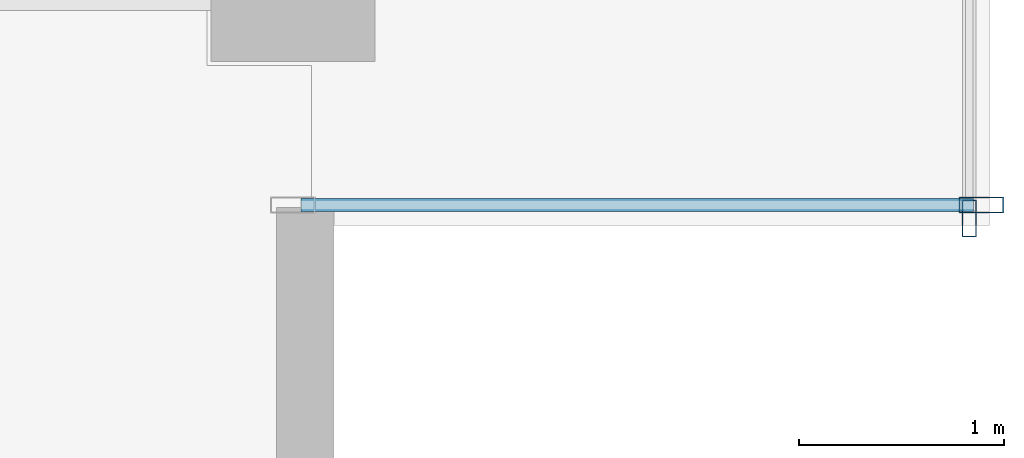
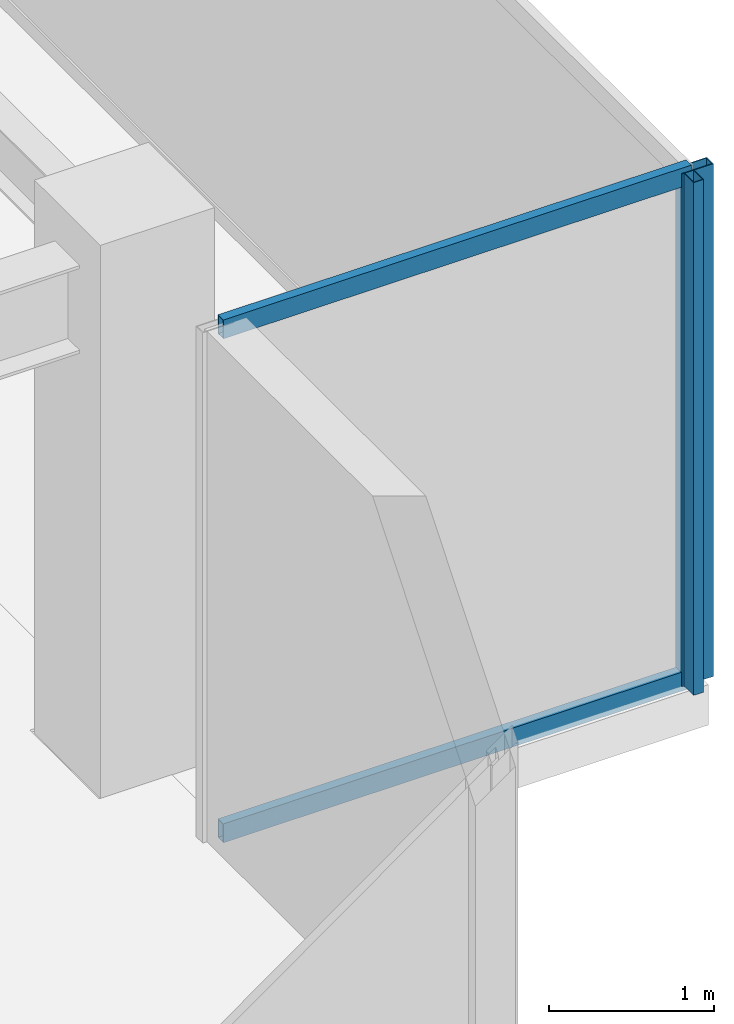
# One storey, part 22 of 36: 4 members, 2 elements without a shape of their own.
"""IFC4 building model written with IfcOpenShell, lengths in metres."""

from ifc_helpers import new_model, si_unit, direction, frame, origin, origin_2d, place, context, subcontext, project, spatial, hollow_rectangle, extrude, source, transform, mapped, material, layer, layer_set, material_profile, profile_set, type_object, type_shapes, element, aggregate, save


model = new_model("IFC4")

# Units and contexts
model_context = context("Model", 3, precision=1e-05, world=origin(), true_north=direction((0.0, 1.0)))
body_context = subcontext(model_context, "Body", "Model", "MODEL_VIEW")
ifc_project = project(units=[si_unit("LENGTHUNIT", "METRE"), si_unit("AREAUNIT", "SQUARE_METRE"), si_unit("VOLUMEUNIT", "CUBIC_METRE"), si_unit("PLANEANGLEUNIT", "RADIAN"), si_unit("MASSUNIT", "GRAM", prefix="KILO")], contexts=[model_context])

# Site, building, storey
site_placement = place(None, origin())
site = spatial("IfcSite", under=ifc_project, at=site_placement, CompositionType="ELEMENT")
building_placement = place(site_placement, origin())
building = spatial("IfcBuilding", under=site, at=building_placement, Name="Haelvirn Gate Laboratories", CompositionType="ELEMENT")
storey_placement = place(building_placement, frame((0.0, 0.0, 254.699951171875)))
storey = spatial("IfcBuildingStorey", under=building, at=storey_placement, Name="L61", CompositionType="ELEMENT", Elevation=254.699951171875)

# Curtain wall, members
ifc_material_1 = material(Name="Anodised bronze unitised aluminium & triple low-E glass", Category="aluminium")
ifc_layer_1 = layer(ifc_material_1, 0.181884765625, Name="CW-SYS-5")
ifc_layer_set_1 = layer_set([ifc_layer_1], Name="Anodised bronze unitised aluminium & triple low-E glass")
curtain_wall_type_1 = type_object("IfcCurtainWallType", Name="CW-SYS-5", PredefinedType="NOTDEFINED", material=ifc_layer_set_1)
curtain_wall_1_placement = place(storey_placement, origin())
curtain_wall_1 = element("IfcCurtainWall", 1, at=curtain_wall_1_placement, inside=storey, type_object=curtain_wall_type_1, Name="L61 Unitised Curtain Wall CW-L61-P0-E06-1", PredefinedType="NOTDEFINED")
ifc_material_2 = material(Name="Extruded aluminium 6063-T6 (anodised bronze)", Category="aluminium")
ifc_material_profile_1 = material_profile(ifc_material_2, hollow_rectangle(XDim=0.06494140625, YDim=0.139892578125, WallThickness=0.00390625, at=origin_2d()), Name="CWT-140x65x4")
ifc_profile_set_1 = profile_set([ifc_material_profile_1], Name="Extruded aluminium 6063-T6 (anodised bronze)")
member_type_1 = type_object("IfcMemberType", Name="CWT-T140", PredefinedType="USERDEFINED", material=ifc_profile_set_1)
shared_shape_1 = source(origin(), body_context, "Body", "SweptSolid", [
    extrude(hollow_rectangle(XDim=0.06494140625, YDim=0.139892578125, WallThickness=0.00390625, at=origin_2d()), origin(), (0.0, 0.0, 1.0), 3.280029296875),
])
type_shapes(member_type_1, [shared_shape_1])
member_1_placement = place(storey_placement, frame((67.43994140625, 5.89990234375, 0.032470703125), z_axis=(1.0, 0.0, 0.0), x_axis=(0.0, 1.0, 0.0)))
member_1 = element("IfcMember", 2, at=member_1_placement, type_object=member_type_1, Name="CW5 transom 1.1", ObjectType="TRANSOM", PredefinedType="USERDEFINED", context=body_context, shape_type="MappedRepresentation", body=[
    mapped(shared_shape_1, transform((0.0, 0.0, 0.0), scale=1.0)),
])
member_2_placement = place(storey_placement, frame((67.43994140625, 5.89990234375, 3.767578125), z_axis=(1.0, 0.0, 0.0), x_axis=(0.0, 1.0, 0.0)))
member_2 = element("IfcMember", 3, at=member_2_placement, type_object=member_type_1, Name="CW5 transom 1.2", ObjectType="TRANSOM", PredefinedType="USERDEFINED", context=body_context, shape_type="MappedRepresentation", body=[
    mapped(shared_shape_1, transform((0.0, 0.0, 0.0), scale=1.0)),
])

# Curtain wall, member
ifc_layer_2 = layer(ifc_material_1, 0.176025390625, Name="CW-SYS-4")
ifc_layer_set_2 = layer_set([ifc_layer_2], Name="Anodised bronze unitised aluminium & triple low-E glass")
curtain_wall_type_2 = type_object("IfcCurtainWallType", Name="CW-SYS-4", PredefinedType="NOTDEFINED", material=ifc_layer_set_2)
curtain_wall_2_placement = place(storey_placement, origin())
curtain_wall_2 = element("IfcCurtainWall", 4, at=curtain_wall_2_placement, inside=storey, type_object=curtain_wall_type_2, Name="L61 Unitised Curtain Wall CW-L61-P0-E07", PredefinedType="NOTDEFINED")
ifc_material_profile_2 = material_profile(ifc_material_2, hollow_rectangle(XDim=0.070068359375, YDim=0.179931640625, WallThickness=0.0048828125, at=origin_2d()), Name="CWM-180x70x5")
ifc_profile_set_2 = profile_set([ifc_material_profile_2], Name="Extruded aluminium 6063-T6 (anodised bronze)")
member_type_2 = type_object("IfcMemberType", Name="CWM-T180", PredefinedType="MULLION", material=ifc_profile_set_2)
shared_shape_2 = source(origin(), body_context, "Body", "SweptSolid", [
    extrude(hollow_rectangle(XDim=0.070068359375, YDim=0.179931640625, WallThickness=0.0048828125, at=origin_2d()), origin(), (0.0, 0.0, 1.0), 3.800048828125),
])
type_shapes(member_type_2, [shared_shape_2])
member_3_placement = place(storey_placement, frame((70.699951171875, 5.8349609375, 0.0), z_axis=(0.0, 0.0, 1.0), x_axis=(-1.0, 0.0, 0.0)))
member_3 = element("IfcMember", 5, at=member_3_placement, type_object=member_type_2, Name="CW4 mullion 1", PredefinedType="MULLION", context=body_context, shape_type="MappedRepresentation", body=[
    mapped(shared_shape_2, transform((0.0, 0.0, 0.0), scale=1.0)),
])
aggregate(curtain_wall_2, [member_3])

# Member
ifc_material_profile_3 = material_profile(ifc_material_2, hollow_rectangle(XDim=0.080078125, YDim=0.219970703125, WallThickness=0.006103515625, at=origin_2d()), Name="CWM-220x80x6")
ifc_profile_set_3 = profile_set([ifc_material_profile_3], Name="Extruded aluminium 6063-T6 (anodised bronze)")
member_type_3 = type_object("IfcMemberType", Name="CWM-T220", PredefinedType="MULLION", material=ifc_profile_set_3)
shared_shape_3 = source(origin(), body_context, "Body", "SweptSolid", [
    extrude(hollow_rectangle(XDim=0.080078125, YDim=0.219970703125, WallThickness=0.006103515625, at=origin_2d()), origin(), (0.0, 0.0, 1.0), 3.800048828125),
])
type_shapes(member_type_3, [shared_shape_3])
member_4_placement = place(storey_placement, frame((70.760009765625, 5.89990234375, 0.0), z_axis=(0.0, 0.0, 1.0), x_axis=(0.0, 1.0, 0.0)))
member_4 = element("IfcMember", 6, at=member_4_placement, type_object=member_type_3, Name="CW5 mullion 2", PredefinedType="MULLION", context=body_context, shape_type="MappedRepresentation", body=[
    mapped(shared_shape_3, transform((0.0, 0.0, 0.0), scale=1.0)),
])

aggregate(curtain_wall_1, [member_4, member_1, member_2])

save(model, "model.ifc")
